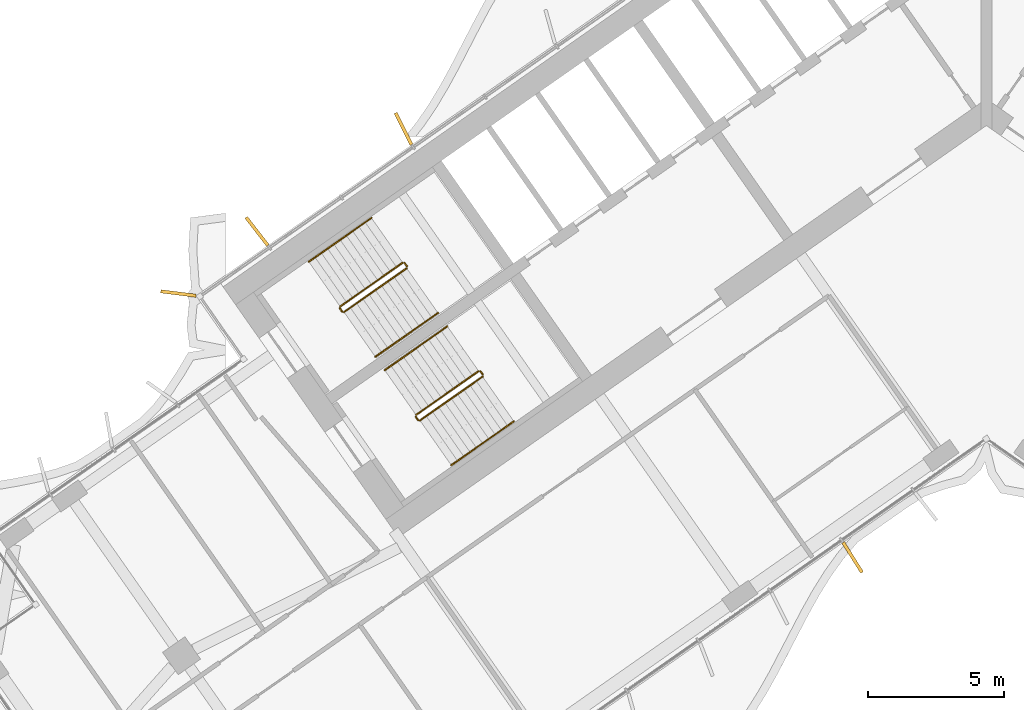
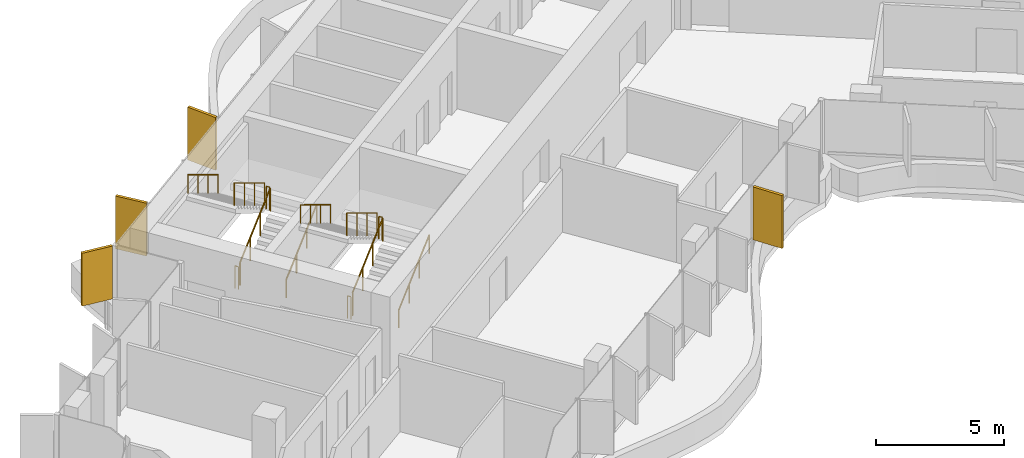
# One storey, part 20 of 23: 12 railings, 4 shading devices.
"""IFC4 building model written with IfcOpenShell, lengths in metres."""

from ifc_helpers import new_model, si_unit, direction, frame, origin, origin_2d, place, context, subcontext, project, spatial, rectangle, circle, extrude, material, layer, layer_set, type_object, element, save


model = new_model("IFC4")

# Units and contexts
model_context = context("Model", 3, precision=1e-05, world=origin(), true_north=direction((0.0, 1.0)))
body_context = subcontext(model_context, "Body", "Model", "MODEL_VIEW")
ifc_project = project(units=[si_unit("LENGTHUNIT", "METRE"), si_unit("AREAUNIT", "SQUARE_METRE"), si_unit("VOLUMEUNIT", "CUBIC_METRE"), si_unit("PLANEANGLEUNIT", "RADIAN"), si_unit("MASSUNIT", "GRAM", prefix="KILO")], contexts=[model_context])

# Site, building, storey
site_placement = place(None, origin())
site = spatial("IfcSite", under=ifc_project, at=site_placement, CompositionType="ELEMENT")
building_placement = place(site_placement, origin())
building = spatial("IfcBuilding", under=site, at=building_placement, Name="Tel Ilan Convention Tower", CompositionType="ELEMENT")
storey_placement = place(building_placement, frame((0.0, 0.0, 174.89990234375)))
storey = spatial("IfcBuildingStorey", under=building, at=storey_placement, Name="L40", CompositionType="ELEMENT", Elevation=174.89990234375)

# Shading devices
ifc_material_1 = material(Name="Aluminium, bronze anodised", Category="aluminium")
ifc_layer = layer(ifc_material_1, 0.1201171875)
ifc_layer_set = layer_set([ifc_layer], Name="FIN BRONZE 1300x120")
shading_device_type = type_object("IfcShadingDeviceType", Name="FIN BRONZE 1300x120", PredefinedType="USERDEFINED", material=ifc_layer_set)
for number, where, z_axis, x_axis, name in (
    (1, (-21.357421875, -1.34130859375, 1.10009765625), (0.0, 0.0, 1.0), (-0.448799180206, 0.893632640321, 0.0), "FIN"),
    (2, (-26.725830078125, -5.099853515625, 1.10009765625), (0.0, 0.0, 1.0), (-0.612600545196, 0.790392669516, 0.0), "FIN"),
    (3, (-29.60595703125, -7.376953125, 1.10009765625), (0.0, 0.0, 1.0), (-0.992066016082, 0.125718016748, 0.0), "FIN"),
    (4, (-4.90234375, -17.04638671875, 1.10009765625), (0.0, 0.0, 1.0), (0.533204432798, -0.845986425922, 0.0), "FIN"),
):
    element("IfcShadingDevice", number, at=place(storey_placement, frame(where, z_axis=z_axis, x_axis=x_axis)), inside=storey, type_object=shading_device_type, Name=name, ObjectType="FIN", PredefinedType="USERDEFINED", context=body_context, shape_type="SweptSolid", body=[
        extrude(rectangle(XDim=1.300048828125, YDim=0.1201171875, at=origin_2d()), origin(), (0.0, 0.0, 1.0), 2.52001953125),
    ])

# Railings
ifc_material_2 = material(Name="Stainless Steel Grade 316", Category="steel")
railing_type_1 = type_object("IfcRailingType", Name="Stainless Steel Stair Guard 1100 mm", PredefinedType="GUARDRAIL", material=ifc_material_2)
railing_1_placement = place(storey_placement, frame((-23.535400390625, -8.056396484375, 0.177490234375)))
element("IfcRailing", 5, at=railing_1_placement, inside=storey, type_object=railing_type_1, Name="L40 S1 stair guard 1", PredefinedType="GUARDRAIL", context=body_context, shape_type="SweptSolid", body=[
    extrude(circle(Radius=0.02392578125, at=origin_2d()), frame((0.0, 0.0, 1.076171875), z_axis=(0.692098378994, 0.484653031975, 0.534893701956), x_axis=(-0.573608623498, 0.819129505664, 0.0)), (0.0, 0.0, 1.0), 3.314208984375),
    extrude(circle(Radius=0.02099609375, at=origin_2d()), origin(), (0.0, 0.0, 1.0), 1.052001953125),
    extrude(circle(Radius=0.02099609375, at=origin_2d()), frame((0.7646484375, 0.535400390625, 0.5908203125)), (0.0, 0.0, 1.0), 1.052001953125),
    extrude(circle(Radius=0.02099609375, at=origin_2d()), frame((1.529052734375, 1.07080078125, 1.181884765625)), (0.0, 0.0, 1.0), 1.052001953125),
    extrude(circle(Radius=0.02099609375, at=origin_2d()), frame((2.293701171875, 1.606201171875, 1.772705078125)), (0.0, 0.0, 1.0), 1.052001953125),
])
railing_2_placement = place(storey_placement, frame((-21.2294921875, -6.380615234375, 1.9501953125)))
element("IfcRailing", 6, at=railing_2_placement, inside=storey, type_object=railing_type_1, Name="L40 S1 stair guard 2", PredefinedType="GUARDRAIL", context=body_context, shape_type="SweptSolid", body=[
    extrude(circle(Radius=0.02392578125, at=origin_2d()), frame((0.0, 0.0, 1.076171875), z_axis=(-0.573353020881, 0.819308436089, 0.0), x_axis=(-0.819308436089, -0.573353020881, 0.0)), (0.0, 0.0, 1.0), 0.14990234375),
    extrude(circle(Radius=0.02099609375, at=origin_2d()), origin(), (0.0, 0.0, 1.0), 1.052001953125),
    extrude(circle(Radius=0.02099609375, at=origin_2d()), frame((-0.0859375, 0.122802734375, 0.0)), (0.0, 0.0, 1.0), 1.052001953125),
])
railing_3_placement = place(storey_placement, frame((-21.38525390625, -6.24560546875, 2.12744140625)))
element("IfcRailing", 7, at=railing_3_placement, inside=storey, type_object=railing_type_1, Name="L40 S1 stair guard 3", PredefinedType="GUARDRAIL", context=body_context, shape_type="SweptSolid", body=[
    extrude(circle(Radius=0.02392578125, at=origin_2d()), frame((0.0, 0.0, 1.076171875), z_axis=(-0.692084706163, -0.484621375041, 0.534940073605), x_axis=(0.573591086599, -0.819141785879, 0.0)), (0.0, 0.0, 1.0), 3.313720703125),
    extrude(circle(Radius=0.02099609375, at=origin_2d()), origin(), (0.0, 0.0, 1.0), 1.052001953125),
    extrude(circle(Radius=0.02099609375, at=origin_2d()), frame((-0.764404296875, -0.535400390625, 0.5908203125)), (0.0, 0.0, 1.0), 1.052001953125),
    extrude(circle(Radius=0.02099609375, at=origin_2d()), frame((-1.529052734375, -1.070556640625, 1.181884765625)), (0.0, 0.0, 1.0), 1.052001953125),
    extrude(circle(Radius=0.02099609375, at=origin_2d()), frame((-2.29345703125, -1.60595703125, 1.772705078125)), (0.0, 0.0, 1.0), 1.052001953125),
])
railing_4_placement = place(storey_placement, frame((-23.60498046875, -8.0439453125, 0.0)))
element("IfcRailing", 8, at=railing_4_placement, inside=storey, type_object=railing_type_1, Name="L40 S1 stair guard 4", PredefinedType="GUARDRAIL", context=body_context, shape_type="SweptSolid", body=[
    extrude(circle(Radius=0.02392578125, at=origin_2d()), frame((0.0, 0.0, 1.076171875), z_axis=(-0.574444878118, 0.818543268254, 0.0), x_axis=(-0.818543268254, -0.574444878118, 0.0)), (0.0, 0.0, 1.0), 0.150146484375),
    extrude(circle(Radius=0.02099609375, at=origin_2d()), origin(), (0.0, 0.0, 1.0), 1.052001953125),
    extrude(circle(Radius=0.02099609375, at=origin_2d()), frame((-0.086181640625, 0.122802734375, 0.0)), (0.0, 0.0, 1.0), 1.052001953125),
])
railing_5_placement = place(storey_placement, frame((-20.753662109375, -12.029296875, 0.177490234375)))
element("IfcRailing", 9, at=railing_5_placement, inside=storey, type_object=railing_type_1, Name="L40 S2 stair guard 1", PredefinedType="GUARDRAIL", context=body_context, shape_type="SweptSolid", body=[
    extrude(circle(Radius=0.02392578125, at=origin_2d()), frame((0.0, 0.0, 1.076171875), z_axis=(0.692098378994, 0.484653031975, 0.534893701956), x_axis=(-0.573608623498, 0.819129505664, 0.0)), (0.0, 0.0, 1.0), 3.314208984375),
    extrude(circle(Radius=0.02099609375, at=origin_2d()), origin(), (0.0, 0.0, 1.0), 1.052001953125),
    extrude(circle(Radius=0.02099609375, at=origin_2d()), frame((0.7646484375, 0.535400390625, 0.5908203125)), (0.0, 0.0, 1.0), 1.052001953125),
    extrude(circle(Radius=0.02099609375, at=origin_2d()), frame((1.529052734375, 1.07080078125, 1.181884765625)), (0.0, 0.0, 1.0), 1.052001953125),
    extrude(circle(Radius=0.02099609375, at=origin_2d()), frame((2.293701171875, 1.606201171875, 1.772705078125)), (0.0, 0.0, 1.0), 1.052001953125),
])
railing_6_placement = place(storey_placement, frame((-18.44775390625, -10.353515625, 1.9501953125)))
element("IfcRailing", 10, at=railing_6_placement, inside=storey, type_object=railing_type_1, Name="L40 S2 stair guard 2", PredefinedType="GUARDRAIL", context=body_context, shape_type="SweptSolid", body=[
    extrude(circle(Radius=0.02392578125, at=origin_2d()), frame((0.0, 0.0, 1.076171875), z_axis=(-0.573353020881, 0.819308436089, 0.0), x_axis=(-0.819308436089, -0.573353020881, 0.0)), (0.0, 0.0, 1.0), 0.14990234375),
    extrude(circle(Radius=0.02099609375, at=origin_2d()), origin(), (0.0, 0.0, 1.0), 1.052001953125),
    extrude(circle(Radius=0.02099609375, at=origin_2d()), frame((-0.0859375, 0.122802734375, 0.0)), (0.0, 0.0, 1.0), 1.052001953125),
])
railing_7_placement = place(storey_placement, frame((-18.603271484375, -10.218505859375, 2.12744140625)))
element("IfcRailing", 11, at=railing_7_placement, inside=storey, type_object=railing_type_1, Name="L40 S2 stair guard 3", PredefinedType="GUARDRAIL", context=body_context, shape_type="SweptSolid", body=[
    extrude(circle(Radius=0.02392578125, at=origin_2d()), frame((0.0, 0.0, 1.076171875), z_axis=(-0.692123088272, -0.484596665743, 0.534912798717), x_axis=(0.573550118428, -0.819170471667, 0.0)), (0.0, 0.0, 1.0), 3.31396484375),
    extrude(circle(Radius=0.02099609375, at=origin_2d()), origin(), (0.0, 0.0, 1.0), 1.052001953125),
    extrude(circle(Radius=0.02099609375, at=origin_2d()), frame((-0.7646484375, -0.535400390625, 0.5908203125)), (0.0, 0.0, 1.0), 1.052001953125),
    extrude(circle(Radius=0.02099609375, at=origin_2d()), frame((-1.529052734375, -1.070556640625, 1.181884765625)), (0.0, 0.0, 1.0), 1.052001953125),
    extrude(circle(Radius=0.02099609375, at=origin_2d()), frame((-2.293701171875, -1.60595703125, 1.772705078125)), (0.0, 0.0, 1.0), 1.052001953125),
])
railing_8_placement = place(storey_placement, frame((-20.8232421875, -12.016845703125, 0.0)))
element("IfcRailing", 12, at=railing_8_placement, inside=storey, type_object=railing_type_1, Name="L40 S2 stair guard 4", PredefinedType="GUARDRAIL", context=body_context, shape_type="SweptSolid", body=[
    extrude(circle(Radius=0.02392578125, at=origin_2d()), frame((0.0, 0.0, 1.076171875), z_axis=(-0.573353020881, 0.819308436089, 0.0), x_axis=(-0.819308436089, -0.573353020881, 0.0)), (0.0, 0.0, 1.0), 0.14990234375),
    extrude(circle(Radius=0.02099609375, at=origin_2d()), origin(), (0.0, 0.0, 1.0), 1.052001953125),
    extrude(circle(Radius=0.02099609375, at=origin_2d()), frame((-0.0859375, 0.122802734375, 0.0)), (0.0, 0.0, 1.0), 1.052001953125),
])
ifc_material_3 = material(Name="Stainless Steel Grade 316", Category="steel")
railing_type_2 = type_object("IfcRailingType", Name="Stainless Steel Stair Handrail 900 mm", PredefinedType="HANDRAIL", material=ifc_material_3)
railing_9_placement = place(storey_placement, frame((-22.38818359375, -9.694580078125, 0.177490234375)))
element("IfcRailing", 13, at=railing_9_placement, inside=storey, type_object=railing_type_2, Name="L40 S1 stair handrail 1", PredefinedType="HANDRAIL", context=body_context, shape_type="SweptSolid", body=[
    extrude(circle(Radius=0.02392578125, at=origin_2d()), frame((0.0, 0.0, 0.8759765625), z_axis=(0.692084706163, 0.484621375041, 0.534940073605), x_axis=(-0.573591086599, 0.819141785879, 0.0)), (0.0, 0.0, 1.0), 3.313720703125),
    extrude(circle(Radius=0.02099609375, at=origin_2d()), origin(), (0.0, 0.0, 1.0), 0.851806640625),
    extrude(circle(Radius=0.02099609375, at=origin_2d()), frame((0.764404296875, 0.535400390625, 0.5908203125)), (0.0, 0.0, 1.0), 0.851806640625),
    extrude(circle(Radius=0.02099609375, at=origin_2d()), frame((1.529052734375, 1.070556640625, 1.181884765625)), (0.0, 0.0, 1.0), 0.851806640625),
    extrude(circle(Radius=0.02099609375, at=origin_2d()), frame((2.29345703125, 1.60595703125, 1.772705078125)), (0.0, 0.0, 1.0), 0.851806640625),
])
railing_10_placement = place(storey_placement, frame((-22.5322265625, -4.607177734375, 2.12744140625)))
element("IfcRailing", 14, at=railing_10_placement, inside=storey, type_object=railing_type_2, Name="L40 S1 stair handrail 2", PredefinedType="HANDRAIL", context=body_context, shape_type="SweptSolid", body=[
    extrude(circle(Radius=0.02392578125, at=origin_2d()), frame((0.0, 0.0, 0.8759765625), z_axis=(-0.692123088272, -0.484596665743, 0.534912798717), x_axis=(0.573550118428, -0.819170471667, 0.0)), (0.0, 0.0, 1.0), 3.31396484375),
    extrude(circle(Radius=0.02099609375, at=origin_2d()), origin(), (0.0, 0.0, 1.0), 0.851806640625),
    extrude(circle(Radius=0.02099609375, at=origin_2d()), frame((-0.7646484375, -0.535400390625, 0.5908203125)), (0.0, 0.0, 1.0), 0.851806640625),
    extrude(circle(Radius=0.02099609375, at=origin_2d()), frame((-1.529052734375, -1.070556640625, 1.181884765625)), (0.0, 0.0, 1.0), 0.851806640625),
    extrude(circle(Radius=0.02099609375, at=origin_2d()), frame((-2.293701171875, -1.60595703125, 1.772705078125)), (0.0, 0.0, 1.0), 0.851806640625),
])
railing_11_placement = place(storey_placement, frame((-19.6064453125, -13.66748046875, 0.177490234375)))
element("IfcRailing", 15, at=railing_11_placement, inside=storey, type_object=railing_type_2, Name="L40 S2 stair handrail 1", PredefinedType="HANDRAIL", context=body_context, shape_type="SweptSolid", body=[
    extrude(circle(Radius=0.02392578125, at=origin_2d()), frame((0.0, 0.0, 0.8759765625), z_axis=(0.692123088272, 0.484596665743, 0.534912798717), x_axis=(-0.573550118428, 0.819170471667, 0.0)), (0.0, 0.0, 1.0), 3.31396484375),
    extrude(circle(Radius=0.02099609375, at=origin_2d()), origin(), (0.0, 0.0, 1.0), 0.851806640625),
    extrude(circle(Radius=0.02099609375, at=origin_2d()), frame((0.7646484375, 0.535400390625, 0.5908203125)), (0.0, 0.0, 1.0), 0.851806640625),
    extrude(circle(Radius=0.02099609375, at=origin_2d()), frame((1.529052734375, 1.070556640625, 1.181884765625)), (0.0, 0.0, 1.0), 0.851806640625),
    extrude(circle(Radius=0.02099609375, at=origin_2d()), frame((2.293701171875, 1.60595703125, 1.772705078125)), (0.0, 0.0, 1.0), 0.851806640625),
])
railing_12_placement = place(storey_placement, frame((-19.75048828125, -8.580078125, 2.12744140625)))
element("IfcRailing", 16, at=railing_12_placement, inside=storey, type_object=railing_type_2, Name="L40 S2 stair handrail 2", PredefinedType="HANDRAIL", context=body_context, shape_type="SweptSolid", body=[
    extrude(circle(Radius=0.02392578125, at=origin_2d()), frame((0.0, 0.0, 0.8759765625), z_axis=(-0.692123088272, -0.484596665743, 0.534912798717), x_axis=(0.573550118428, -0.819170471667, 0.0)), (0.0, 0.0, 1.0), 3.31396484375),
    extrude(circle(Radius=0.02099609375, at=origin_2d()), origin(), (0.0, 0.0, 1.0), 0.851806640625),
    extrude(circle(Radius=0.02099609375, at=origin_2d()), frame((-0.7646484375, -0.535400390625, 0.5908203125)), (0.0, 0.0, 1.0), 0.851806640625),
    extrude(circle(Radius=0.02099609375, at=origin_2d()), frame((-1.529052734375, -1.070556640625, 1.181884765625)), (0.0, 0.0, 1.0), 0.851806640625),
    extrude(circle(Radius=0.02099609375, at=origin_2d()), frame((-2.293701171875, -1.60595703125, 1.772705078125)), (0.0, 0.0, 1.0), 0.851806640625),
])

save(model, "model.ifc")
